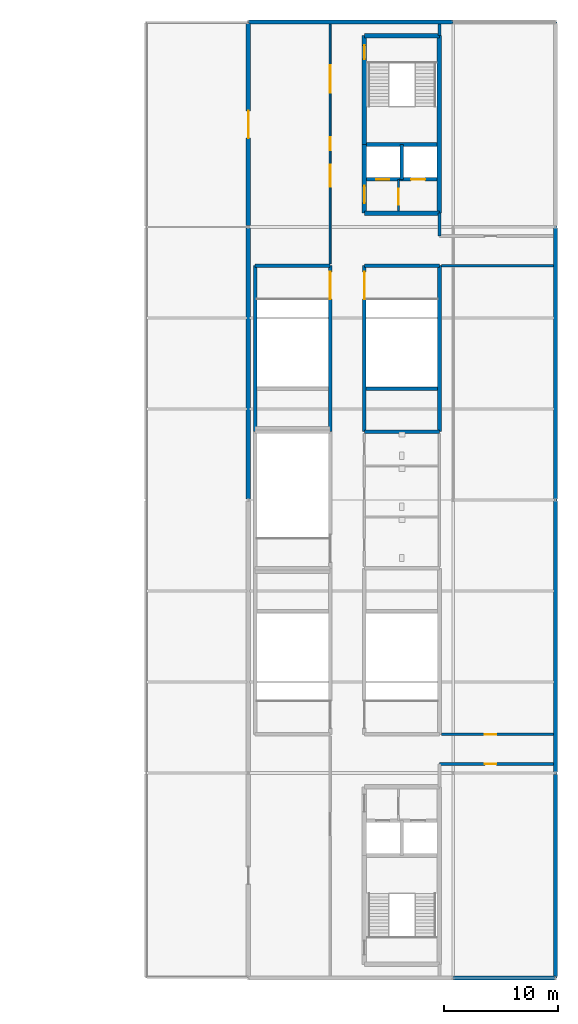
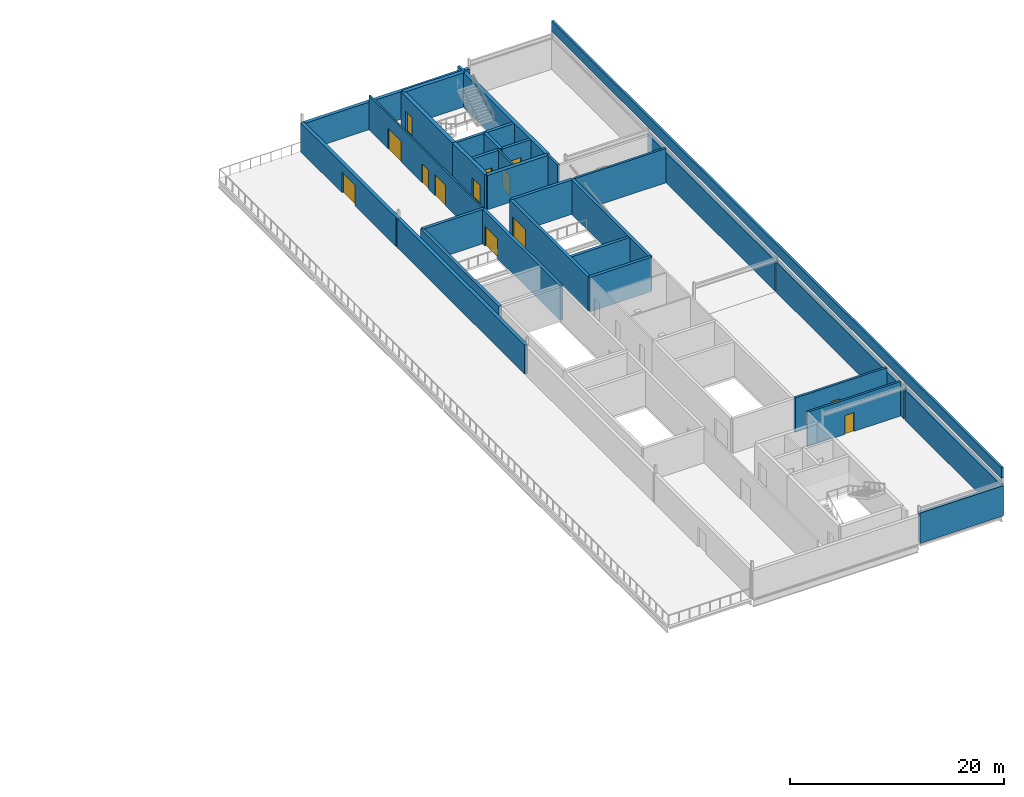
# One storey, part 18 of 23: 32 walls, 13 doors, 13 openings.
"""IFC4 building model written with IfcOpenShell, lengths in metres."""

from ifc_helpers import new_model, si_unit, direction, frame, frame_2d, origin, place, context, subcontext, project, spatial, rectangle, extrude, material, layer, layer_set, type_object, element, fill, save


model = new_model("IFC4")

# Units and contexts
model_context = context("Model", 3, precision=1e-05, world=origin(), true_north=direction((0.0, 1.0)))
body_context = subcontext(model_context, "Body", "Model", "MODEL_VIEW")
ifc_project = project(units=[si_unit("LENGTHUNIT", "METRE"), si_unit("AREAUNIT", "SQUARE_METRE"), si_unit("VOLUMEUNIT", "CUBIC_METRE"), si_unit("PLANEANGLEUNIT", "RADIAN"), si_unit("MASSUNIT", "GRAM", prefix="KILO")], contexts=[model_context])

# Site, building, storey
site_placement = place(None, origin())
site = spatial("IfcSite", under=ifc_project, at=site_placement, CompositionType="ELEMENT")
building_placement = place(site_placement, origin())
building = spatial("IfcBuilding", under=site, at=building_placement, Name="Kisiwana Market Hall", CompositionType="ELEMENT")
storey_placement = place(building_placement, frame((0.0, 0.0, 65.699951171875)))
storey = spatial("IfcBuildingStorey", under=building, at=storey_placement, Name="L15", CompositionType="ELEMENT", Elevation=65.699951171875)

# Wall, opening, door
ifc_material_1 = material(Name="Masonry blockwork", Category="masonry")
ifc_layer_1 = layer(ifc_material_1, 0.199951171875, Name="Plastered fire compartment block wall")
ifc_layer_set_1 = layer_set([ifc_layer_1], Name="WL-COMP-200")
wall_type_1 = type_object("IfcWallType", Name="WL-COMP-200", PredefinedType="PARTITIONING", material=ifc_layer_set_1)
wall_1_placement = place(storey_placement, frame((184.199951171875, 85.39990234375, 0.0), z_axis=(0.0, 0.0, 1.0), x_axis=(0.0, 1.0, 0.0)))
wall_1 = element("IfcWall", 1, at=wall_1_placement, inside=storey, type_object=wall_type_1, Name="Core E1 firefighting lobby wall W-3460", PredefinedType="PARTITIONING", context=body_context, shape_type="SweptSolid", body=[
    extrude(rectangle(XDim=2.780029296875, YDim=0.199951171875, at=frame_2d((1.39013671875, 0.0))), origin(), (0.0, 0.0, 1.0), 3.920166015625),
])
opening_1_placement = place(wall_1_placement, frame((0.550048828125, 0.0, 0.0)))
opening_1 = element("IfcOpeningElement", 2, at=opening_1_placement, cuts=wall_1, Name="Opening DR-L15-012", PredefinedType="OPENING", context=body_context, shape_type="SweptSolid", body=[
    extrude(rectangle(XDim=1.39990234375, YDim=2.25, at=frame_2d((0.699951171875, 1.125))), frame((0.0, 0.11181640625, 0.0), z_axis=(0.0, -1.0, 0.0), x_axis=(1.0, 0.0, 0.0)), (0.0, 0.0, 1.0), 0.223876953125),
])
ifc_material_2 = material(Name="Steel S275", Category="steel")
door_type_1 = type_object("IfcDoorType", Name="DR-FFLOB-FD120-1400", OperationType="DOUBLE_DOOR_SINGLE_SWING", PredefinedType="DOOR", material=ifc_material_2)
door_1_placement = place(opening_1_placement, origin())
door_1 = element("IfcDoor", 3, at=door_1_placement, inside=storey, type_object=door_type_1, Name="Firefighting Lift Lobby E1 Door (L15)", OperationType="DOUBLE_DOOR_SINGLE_SWING", OverallHeight=2.25, OverallWidth=1.39990234375, PredefinedType="DOOR", context=body_context, shape_type="SweptSolid", body=[
    extrude(rectangle(XDim=1.39990234375, YDim=2.25, at=frame_2d((0.699951171875, 1.125))), frame((0.0, 0.02490234375, 0.0), z_axis=(0.0, -1.0, 0.0), x_axis=(1.0, 0.0, 0.0)), (0.0, 0.0, 1.0), 0.050048828125),
])
fill(opening_1, door_1)

# Walls
ifc_material_3 = material(Name="Concrete C40/50", Category="concrete")
ifc_layer_2 = layer(ifc_material_3, 0.320068359375, Name="Reinforced concrete shaft wall")
ifc_layer_set_2 = layer_set([ifc_layer_2], Name="WL-CORE-320")
wall_type_2 = type_object("IfcWallType", Name="WL-CORE-320", PredefinedType="SHEAR", material=ifc_layer_set_2)
wall_2_placement = place(storey_placement, frame((181.39990234375, 91.239990234375, 0.0), z_axis=(0.0, 0.0, 1.0), x_axis=(1.0, 0.0, 0.0)))
element("IfcWall", 4, at=wall_2_placement, inside=storey, type_object=wall_type_2, Name="Core E1 shaft back shear wall W-3381", PredefinedType="SHEAR", context=body_context, shape_type="SweptSolid", body=[
    extrude(rectangle(XDim=6.2001953125, YDim=0.320068359375, at=frame_2d((3.10009765625, 0.0))), origin(), (0.0, 0.0, 1.0), 3.920166015625),
])
wall_3_placement = place(storey_placement, frame((184.5, 88.179931640625, 0.0), z_axis=(0.0, 0.0, 1.0), x_axis=(0.0, 1.0, 0.0)))
element("IfcWall", 5, at=wall_3_placement, inside=storey, type_object=wall_type_2, Name="Core E1 inter-shaft shear wall W-3382", PredefinedType="SHEAR", context=body_context, shape_type="SweptSolid", body=[
    extrude(rectangle(XDim=3.06005859375, YDim=0.320068359375, at=frame_2d((1.530029296875, 0.0))), origin(), (0.0, 0.0, 1.0), 3.920166015625),
])

# Wall, opening, door
wall_4_placement = place(storey_placement, frame((181.39990234375, 88.179931640625, 0.0), z_axis=(0.0, 0.0, 1.0), x_axis=(1.0, 0.0, 0.0)))
wall_4 = element("IfcWall", 6, at=wall_4_placement, inside=storey, type_object=wall_type_2, Name="Core E1 west lift front wall W-3383", PredefinedType="SHEAR", context=body_context, shape_type="SweptSolid", body=[
    extrude(rectangle(XDim=3.10009765625, YDim=0.320068359375, at=frame_2d((1.550048828125, 0.0))), origin(), (0.0, 0.0, 1.0), 3.920166015625),
])
opening_2_placement = place(wall_4_placement, frame((0.85009765625, 0.0, 0.0)))
opening_2 = element("IfcOpeningElement", 7, at=opening_2_placement, cuts=wall_4, Name="Opening LD-L15-007", PredefinedType="OPENING", context=body_context, shape_type="SweptSolid", body=[
    extrude(rectangle(XDim=1.14990234375, YDim=2.199951171875, at=frame_2d((0.574951171875, 1.10009765625))), frame((0.0, 0.171875, 0.0), z_axis=(0.0, -1.0, 0.0), x_axis=(1.0, 0.0, 0.0)), (0.0, 0.0, 1.0), 0.343994140625),
])
ifc_material_4 = material(Name="Steel S275", Category="steel")
door_type_2 = type_object("IfcDoorType", Name="DR-LIFT-PAX-1150", OperationType="DOUBLE_DOOR_SLIDING", PredefinedType="DOOR", material=ifc_material_4)
door_2_placement = place(opening_2_placement, origin())
door_2 = element("IfcDoor", 8, at=door_2_placement, inside=storey, type_object=door_type_2, Name="Lift Landing Door LP-04 (L15)", OperationType="DOUBLE_DOOR_SLIDING", OverallHeight=2.199951171875, OverallWidth=1.14990234375, PredefinedType="DOOR", context=body_context, shape_type="SweptSolid", body=[
    extrude(rectangle(XDim=1.14990234375, YDim=2.199951171875, at=frame_2d((0.574951171875, 1.10009765625))), frame((0.0, 0.02490234375, 0.0), z_axis=(0.0, -1.0, 0.0), x_axis=(1.0, 0.0, 0.0)), (0.0, 0.0, 1.0), 0.050048828125),
])
fill(opening_2, door_2)

wall_5_placement = place(storey_placement, frame((184.5, 88.179931640625, 0.0), z_axis=(0.0, 0.0, 1.0), x_axis=(1.0, 0.0, 0.0)))
wall_5 = element("IfcWall", 9, at=wall_5_placement, inside=storey, type_object=wall_type_2, Name="Core E1 east lift front wall W-3384", PredefinedType="SHEAR", context=body_context, shape_type="SweptSolid", body=[
    extrude(rectangle(XDim=3.10009765625, YDim=0.320068359375, at=frame_2d((1.550048828125, 0.0))), origin(), (0.0, 0.0, 1.0), 3.920166015625),
])
opening_3_placement = place(wall_5_placement, frame((0.800048828125, 0.0, 0.0)))
opening_3 = element("IfcOpeningElement", 10, at=opening_3_placement, cuts=wall_5, Name="Opening LD-L15-008", PredefinedType="OPENING", context=body_context, shape_type="SweptSolid", body=[
    extrude(rectangle(XDim=1.25, YDim=2.25, at=frame_2d((0.625, 1.125))), frame((0.0, 0.171875, 0.0), z_axis=(0.0, -1.0, 0.0), x_axis=(1.0, 0.0, 0.0)), (0.0, 0.0, 1.0), 0.343994140625),
])
ifc_material_5 = material(Name="Steel S275", Category="steel")
door_type_3 = type_object("IfcDoorType", Name="DR-LIFT-FFL-1250", OperationType="DOUBLE_DOOR_SLIDING", PredefinedType="DOOR", material=ifc_material_5)
door_3_placement = place(opening_3_placement, origin())
door_3 = element("IfcDoor", 11, at=door_3_placement, inside=storey, type_object=door_type_3, Name="Lift Landing Door FFL-04 (L15)", OperationType="DOUBLE_DOOR_SLIDING", OverallHeight=2.25, OverallWidth=1.25, PredefinedType="DOOR", context=body_context, shape_type="SweptSolid", body=[
    extrude(rectangle(XDim=1.25, YDim=2.25, at=frame_2d((0.625, 1.125))), frame((0.0, 0.02490234375, 0.0), z_axis=(0.0, -1.0, 0.0), x_axis=(1.0, 0.0, 0.0)), (0.0, 0.0, 1.0), 0.050048828125),
])
fill(opening_3, door_3)

# Walls
for number, where, z_axis, x_axis, name in (
    (12, (181.199951171875, 66.0, 0.0), (0.0, 0.0, 1.0), (1.0, 0.0, 0.0), "Core E4 south shear wall W-3400"),
    (13, (181.199951171875, 80.60009765625, 0.0), (0.0, 0.0, 1.0), (1.0, 0.0, 0.0), "Core E4 north shear wall W-3401"),
):
    element("IfcWall", number, at=place(storey_placement, frame(where, z_axis=z_axis, x_axis=x_axis)), inside=storey, type_object=wall_type_2, Name=name, PredefinedType="SHEAR", context=body_context, shape_type="SweptSolid", body=[
        extrude(rectangle(XDim=6.60009765625, YDim=0.320068359375, at=frame_2d((3.300048828125, 0.0))), origin(), (0.0, 0.0, 1.0), 3.920166015625),
    ])

# Wall, opening, door
wall_6_placement = place(storey_placement, frame((181.199951171875, 66.0, 0.0), z_axis=(0.0, 0.0, 1.0), x_axis=(0.0, 1.0, 0.0)))
wall_6 = element("IfcWall", 14, at=wall_6_placement, inside=storey, type_object=wall_type_2, Name="Core E4 corridor shear wall W-3402", PredefinedType="SHEAR", context=body_context, shape_type="SweptSolid", body=[
    extrude(rectangle(XDim=14.60009765625, YDim=0.320068359375, at=frame_2d((7.300048828125, 0.0))), origin(), (0.0, 0.0, 1.0), 3.920166015625),
])
opening_4_placement = place(wall_6_placement, frame((11.64990234375, 0.0, 0.0)))
opening_4 = element("IfcOpeningElement", 15, at=opening_4_placement, cuts=wall_6, Name="Opening DR-L15-016", PredefinedType="OPENING", context=body_context, shape_type="SweptSolid", body=[
    extrude(rectangle(XDim=2.39990234375, YDim=2.25, at=frame_2d((1.199951171875, 1.125))), frame((0.0, 0.171875, 0.0), z_axis=(0.0, -1.0, 0.0), x_axis=(1.0, 0.0, 0.0)), (0.0, 0.0, 1.0), 0.343994140625),
])
ifc_material_6 = material(Name="Steel S275", Category="steel")
door_type_4 = type_object("IfcDoorType", Name="DR-STAIR-FD120-2400", OperationType="DOUBLE_DOOR_SINGLE_SWING", PredefinedType="DOOR", material=ifc_material_6)
door_4_placement = place(opening_4_placement, frame((2.39990234375, 0.0, 0.0), z_axis=(0.0, 0.0, 1.0), x_axis=(-1.0, 0.0, 0.0)))
door_4 = element("IfcDoor", 16, at=door_4_placement, inside=storey, type_object=door_type_4, Name="Escape Stair E4 Fire Door (L15)", OperationType="DOUBLE_DOOR_SINGLE_SWING", OverallHeight=2.25, OverallWidth=2.39990234375, PredefinedType="DOOR", context=body_context, shape_type="SweptSolid", body=[
    extrude(rectangle(XDim=2.39990234375, YDim=2.25, at=frame_2d((1.199951171875, 1.125))), frame((0.0, 0.02490234375, 0.0), z_axis=(0.0, -1.0, 0.0), x_axis=(1.0, 0.0, 0.0)), (0.0, 0.0, 1.0), 0.050048828125),
])
fill(opening_4, door_4)

# Walls
wall_7_placement = place(storey_placement, frame((187.800048828125, 66.0, 0.0), z_axis=(0.0, 0.0, 1.0), x_axis=(0.0, 1.0, 0.0)))
element("IfcWall", 17, at=wall_7_placement, inside=storey, type_object=wall_type_2, Name="Core E4 outer shear wall W-3403", PredefinedType="SHEAR", context=body_context, shape_type="SweptSolid", body=[
    extrude(rectangle(XDim=14.60009765625, YDim=0.320068359375, at=frame_2d((7.300048828125, 0.0))), origin(), (0.0, 0.0, 1.0), 3.920166015625),
])
wall_8_placement = place(storey_placement, frame((181.360107421875, 69.780029296875, 0.0), z_axis=(0.0, 0.0, 1.0), x_axis=(1.0, 0.0, 0.0)))
element("IfcWall", 18, at=wall_8_placement, inside=storey, type_object=wall_type_2, Name="Core E4 riser divider shear wall W-3404", PredefinedType="SHEAR", context=body_context, shape_type="SweptSolid", body=[
    extrude(rectangle(XDim=6.27978515625, YDim=0.320068359375, at=frame_2d((3.139892578125, 0.0))), origin(), (0.0, 0.0, 1.0), 3.920166015625),
])
wall_9_placement = place(storey_placement, frame((171.60009765625, 80.60009765625, 0.0), z_axis=(0.0, 0.0, 1.0), x_axis=(1.0, 0.0, 0.0)))
element("IfcWall", 19, at=wall_9_placement, inside=storey, type_object=wall_type_2, Name="Core E8 north shear wall W-3421", PredefinedType="SHEAR", context=body_context, shape_type="SweptSolid", body=[
    extrude(rectangle(XDim=6.599853515625, YDim=0.320068359375, at=frame_2d((3.2998046875, 0.0))), origin(), (0.0, 0.0, 1.0), 3.920166015625),
])
wall_10_placement = place(storey_placement, frame((171.60009765625, 66.0, 0.0), z_axis=(0.0, 0.0, 1.0), x_axis=(0.0, 1.0, 0.0)))
element("IfcWall", 20, at=wall_10_placement, inside=storey, type_object=wall_type_2, Name="Core E8 outer shear wall W-3422", PredefinedType="SHEAR", context=body_context, shape_type="SweptSolid", body=[
    extrude(rectangle(XDim=14.60009765625, YDim=0.320068359375, at=frame_2d((7.300048828125, 0.0))), origin(), (0.0, 0.0, 1.0), 3.920166015625),
])

# Wall, opening, door
wall_11_placement = place(storey_placement, frame((178.199951171875, 66.0, 0.0), z_axis=(0.0, 0.0, 1.0), x_axis=(0.0, 1.0, 0.0)))
wall_11 = element("IfcWall", 21, at=wall_11_placement, inside=storey, type_object=wall_type_2, Name="Core E8 corridor shear wall W-3423", PredefinedType="SHEAR", context=body_context, shape_type="SweptSolid", body=[
    extrude(rectangle(XDim=14.60009765625, YDim=0.320068359375, at=frame_2d((7.300048828125, 0.0))), origin(), (0.0, 0.0, 1.0), 3.920166015625),
])
opening_5_placement = place(wall_11_placement, frame((11.64990234375, 0.0, 0.0)))
opening_5 = element("IfcOpeningElement", 22, at=opening_5_placement, cuts=wall_11, Name="Opening DR-L15-020", PredefinedType="OPENING", context=body_context, shape_type="SweptSolid", body=[
    extrude(rectangle(XDim=2.39990234375, YDim=2.25, at=frame_2d((1.199951171875, 1.125))), frame((0.0, 0.171875, 0.0), z_axis=(0.0, -1.0, 0.0), x_axis=(1.0, 0.0, 0.0)), (0.0, 0.0, 1.0), 0.343994140625),
])
door_5_placement = place(opening_5_placement, origin())
door_5 = element("IfcDoor", 23, at=door_5_placement, inside=storey, type_object=door_type_4, Name="Escape Stair E8 Fire Door (L15)", OperationType="DOUBLE_DOOR_SINGLE_SWING", OverallHeight=2.25, OverallWidth=2.39990234375, PredefinedType="DOOR", context=body_context, shape_type="SweptSolid", body=[
    extrude(rectangle(XDim=2.39990234375, YDim=2.25, at=frame_2d((1.199951171875, 1.125))), frame((0.0, 0.02490234375, 0.0), z_axis=(0.0, -1.0, 0.0), x_axis=(1.0, 0.0, 0.0)), (0.0, 0.0, 1.0), 0.050048828125),
])
fill(opening_5, door_5)

# Walls
ifc_material_7 = material(Name="Concrete C40/50", Category="concrete")
ifc_layer_3 = layer(ifc_material_7, 0.39990234375, Name="Reinforced concrete core wall")
ifc_layer_set_3 = layer_set([ifc_layer_3], Name="WL-CORE-400")
wall_type_3 = type_object("IfcWallType", Name="WL-CORE-400", PredefinedType="SHEAR", material=ifc_layer_set_3)
for number, where, z_axis, x_axis, name in (
    (24, (181.199951171875, 85.199951171875, 0.0), (0.0, 0.0, 1.0), (1.0, 0.0, 0.0), "Core E1 south shear wall W-3376"),
    (25, (181.199951171875, 100.800048828125, 0.0), (0.0, 0.0, 1.0), (1.0, 0.0, 0.0), "Core E1 north shear wall W-3377"),
):
    element("IfcWall", number, at=place(storey_placement, frame(where, z_axis=z_axis, x_axis=x_axis)), inside=storey, type_object=wall_type_3, Name=name, PredefinedType="SHEAR", context=body_context, shape_type="SweptSolid", body=[
        extrude(rectangle(XDim=6.60009765625, YDim=0.39990234375, at=frame_2d((3.300048828125, 0.0))), origin(), (0.0, 0.0, 1.0), 3.920166015625),
    ])
wall_12_placement = place(storey_placement, frame((187.800048828125, 85.199951171875, 0.0), z_axis=(0.0, 0.0, 1.0), x_axis=(0.0, 1.0, 0.0)))
element("IfcWall", 26, at=wall_12_placement, inside=storey, type_object=wall_type_3, Name="Core E1 outer shear wall W-3378", PredefinedType="SHEAR", context=body_context, shape_type="SweptSolid", body=[
    extrude(rectangle(XDim=15.60009765625, YDim=0.39990234375, at=frame_2d((7.800048828125, 0.0))), origin(), (0.0, 0.0, 1.0), 3.920166015625),
])

# Wall, opening, door
wall_13_placement = place(storey_placement, frame((181.199951171875, 85.199951171875, 0.0), z_axis=(0.0, 0.0, 1.0), x_axis=(0.0, 1.0, 0.0)))
wall_13 = element("IfcWall", 27, at=wall_13_placement, inside=storey, type_object=wall_type_3, Name="Core E1 lobby corridor shear wall W-3379", PredefinedType="SHEAR", context=body_context, shape_type="SweptSolid", body=[
    extrude(rectangle(XDim=6.0400390625, YDim=0.39990234375, at=frame_2d((3.02001953125, 0.0))), origin(), (0.0, 0.0, 1.0), 3.920166015625),
])
opening_6_placement = place(wall_13_placement, frame((0.89990234375, 0.0, 0.0)))
opening_6 = element("IfcOpeningElement", 28, at=opening_6_placement, cuts=wall_13, Name="Opening DR-L15-010", PredefinedType="OPENING", context=body_context, shape_type="SweptSolid", body=[
    extrude(rectangle(XDim=1.5, YDim=2.199951171875, at=frame_2d((0.75, 1.10009765625))), frame((0.0, 0.2119140625, 0.0), z_axis=(0.0, -1.0, 0.0), x_axis=(1.0, 0.0, 0.0)), (0.0, 0.0, 1.0), 0.423828125),
])
ifc_material_8 = material(Name="Steel S275", Category="steel")
door_type_5 = type_object("IfcDoorType", Name="DR-CORR-FD60-1500", OperationType="DOUBLE_DOOR_SINGLE_SWING", PredefinedType="DOOR", material=ifc_material_8)
door_6_placement = place(opening_6_placement, origin())
door_6 = element("IfcDoor", 29, at=door_6_placement, inside=storey, type_object=door_type_5, Name="Passenger Lift Lobby E1 Smoke Door (L15)", OperationType="DOUBLE_DOOR_SINGLE_SWING", OverallHeight=2.199951171875, OverallWidth=1.5, PredefinedType="DOOR", context=body_context, shape_type="SweptSolid", body=[
    extrude(rectangle(XDim=1.5, YDim=2.199951171875, at=frame_2d((0.75, 1.10009765625))), frame((0.0, 0.02490234375, 0.0), z_axis=(0.0, -1.0, 0.0), x_axis=(1.0, 0.0, 0.0)), (0.0, 0.0, 1.0), 0.050048828125),
])
fill(opening_6, door_6)

wall_14_placement = place(storey_placement, frame((181.199951171875, 91.239990234375, 0.0), z_axis=(0.0, 0.0, 1.0), x_axis=(0.0, 1.0, 0.0)))
wall_14 = element("IfcWall", 30, at=wall_14_placement, inside=storey, type_object=wall_type_3, Name="Core E1 stair corridor shear wall W-3380", PredefinedType="SHEAR", context=body_context, shape_type="SweptSolid", body=[
    extrude(rectangle(XDim=9.56005859375, YDim=0.39990234375, at=frame_2d((4.780029296875, 0.0))), origin(), (0.0, 0.0, 1.0), 3.920166015625),
])
opening_7_placement = place(wall_14_placement, frame((7.510009765625, 0.0, 0.0)))
opening_7 = element("IfcOpeningElement", 31, at=opening_7_placement, cuts=wall_14, Name="Opening DR-L15-011", PredefinedType="OPENING", context=body_context, shape_type="SweptSolid", body=[
    extrude(rectangle(XDim=1.199951171875, YDim=2.199951171875, at=frame_2d((0.60009765625, 1.10009765625))), frame((0.0, 0.2119140625, 0.0), z_axis=(0.0, -1.0, 0.0), x_axis=(1.0, 0.0, 0.0)), (0.0, 0.0, 1.0), 0.423828125),
])
ifc_material_9 = material(Name="Steel S275", Category="steel")
door_type_6 = type_object("IfcDoorType", Name="DR-STAIR-FD120-1200", OperationType="NOTDEFINED", PredefinedType="DOOR", material=ifc_material_9)
door_7_placement = place(opening_7_placement, frame((1.199951171875, 0.0, 0.0), z_axis=(0.0, 0.0, 1.0), x_axis=(-1.0, 0.0, 0.0)))
door_7 = element("IfcDoor", 32, at=door_7_placement, inside=storey, type_object=door_type_6, Name="Escape Stair E1 Fire Door (L15)", OperationType="SINGLE_SWING_LEFT", OverallHeight=2.199951171875, OverallWidth=1.199951171875, PredefinedType="DOOR", context=body_context, shape_type="SweptSolid", body=[
    extrude(rectangle(XDim=1.199951171875, YDim=2.199951171875, at=frame_2d((0.60009765625, 1.10009765625))), frame((0.0, 0.02490234375, 0.0), z_axis=(0.0, -1.0, 0.0), x_axis=(1.0, 0.0, 0.0)), (0.0, 0.0, 1.0), 0.050048828125),
])
fill(opening_7, door_7)

# Wall, openings, doors
ifc_material_10 = material(Name="Masonry blockwork", Category="masonry")
ifc_layer_4 = layer(ifc_material_10, 0.169921875, Name="Protected corridor partition")
ifc_layer_set_4 = layer_set([ifc_layer_4], Name="WL-CORR-170")
wall_type_4 = type_object("IfcWallType", Name="WL-CORR-170", PredefinedType="PARTITIONING", material=ifc_layer_set_4)
wall_15_placement = place(storey_placement, frame((178.199951171875, 80.760009765625, 0.0), z_axis=(0.0, 0.0, 1.0), x_axis=(0.0, 1.0, 0.0)))
wall_15 = element("IfcWall", 33, at=wall_15_placement, inside=storey, type_object=wall_type_4, Name="Interior partition W-3488", PredefinedType="PARTITIONING", context=body_context, shape_type="SweptSolid", body=[
    extrude(rectangle(XDim=21.070068359375, YDim=0.169921875, at=frame_2d((10.53515625, 0.0))), origin(), (0.0, 0.0, 1.0), 3.920166015625),
])
opening_8_placement = place(wall_15_placement, frame((6.7900390625, 0.0, 0.0)))
opening_8 = element("IfcOpeningElement", 34, at=opening_8_placement, cuts=wall_15, Name="Opening DR-L15-040", PredefinedType="OPENING", context=body_context, shape_type="SweptSolid", body=[
    extrude(rectangle(XDim=1.89990234375, YDim=2.35009765625, at=frame_2d((0.949951171875, 1.175048828125))), frame((0.0, 0.096923828125, 0.0), z_axis=(0.0, -1.0, 0.0), x_axis=(1.0, 0.0, 0.0)), (0.0, 0.0, 1.0), 0.19384765625),
])
opening_9_placement = place(wall_15_placement, frame((15.0400390625, 0.0, 0.0)))
opening_9 = element("IfcOpeningElement", 35, at=opening_9_placement, cuts=wall_15, Name="Opening DR-L15-041", PredefinedType="OPENING", context=body_context, shape_type="SweptSolid", body=[
    extrude(rectangle(XDim=2.39990234375, YDim=2.35009765625, at=frame_2d((1.199951171875, 1.175048828125))), frame((0.0, 0.096923828125, 0.0), z_axis=(0.0, -1.0, 0.0), x_axis=(1.0, 0.0, 0.0)), (0.0, 0.0, 1.0), 0.19384765625),
])
opening_10_placement = place(wall_15_placement, frame((9.9599609375, 0.0, 0.0)))
opening_10 = element("IfcOpeningElement", 36, at=opening_10_placement, cuts=wall_15, Name="Opening DR-L15-042", PredefinedType="OPENING", context=body_context, shape_type="SweptSolid", body=[
    extrude(rectangle(XDim=1.14990234375, YDim=2.14990234375, at=frame_2d((0.574951171875, 1.074951171875))), frame((0.0, 0.096923828125, 0.0), z_axis=(0.0, -1.0, 0.0), x_axis=(1.0, 0.0, 0.0)), (0.0, 0.0, 1.0), 0.19384765625),
])
ifc_material_11 = material(Name="Steel S275", Category="steel")
door_type_7 = type_object("IfcDoorType", Name="DR-HALL-1900", OperationType="DOUBLE_DOOR_SINGLE_SWING", PredefinedType="DOOR", material=ifc_material_11)
door_8_placement = place(opening_8_placement, origin())
door_8 = element("IfcDoor", 37, at=door_8_placement, inside=storey, type_object=door_type_7, Name="L15 E Executive Board Observatory Door", OperationType="DOUBLE_DOOR_SINGLE_SWING", OverallHeight=2.35009765625, OverallWidth=1.89990234375, PredefinedType="DOOR", context=body_context, shape_type="SweptSolid", body=[
    extrude(rectangle(XDim=1.89990234375, YDim=2.35009765625, at=frame_2d((0.949951171875, 1.175048828125))), frame((0.0, 0.02490234375, 0.0), z_axis=(0.0, -1.0, 0.0), x_axis=(1.0, 0.0, 0.0)), (0.0, 0.0, 1.0), 0.050048828125),
])
fill(opening_8, door_8)
ifc_material_12 = material(Name="Steel S275", Category="steel")
door_type_8 = type_object("IfcDoorType", Name="DR-HALL-2400", OperationType="DOUBLE_DOOR_SINGLE_SWING", PredefinedType="DOOR", material=ifc_material_12)
door_9_placement = place(opening_9_placement, origin())
door_9 = element("IfcDoor", 38, at=door_9_placement, inside=storey, type_object=door_type_8, Name="L15 E Executive Board Observatory Second Door", OperationType="DOUBLE_DOOR_SINGLE_SWING", OverallHeight=2.35009765625, OverallWidth=2.39990234375, PredefinedType="DOOR", context=body_context, shape_type="SweptSolid", body=[
    extrude(rectangle(XDim=2.39990234375, YDim=2.35009765625, at=frame_2d((1.199951171875, 1.175048828125))), frame((0.0, 0.02490234375, 0.0), z_axis=(0.0, -1.0, 0.0), x_axis=(1.0, 0.0, 0.0)), (0.0, 0.0, 1.0), 0.050048828125),
])
fill(opening_9, door_9)
ifc_material_13 = material(Name="Aluminium alloy 6063-T6", Category="aluminium")
door_type_9 = type_object("IfcDoorType", Name="DR-MEET-1150", OperationType="NOTDEFINED", PredefinedType="DOOR", material=ifc_material_13)
door_10_placement = place(opening_10_placement, origin())
door_10 = element("IfcDoor", 39, at=door_10_placement, inside=storey, type_object=door_type_9, Name="L15 E Constructivist Architecture Studio Door", OperationType="SINGLE_SWING_RIGHT", OverallHeight=2.14990234375, OverallWidth=1.14990234375, PredefinedType="DOOR", context=body_context, shape_type="SweptSolid", body=[
    extrude(rectangle(XDim=1.14990234375, YDim=2.14990234375, at=frame_2d((0.574951171875, 1.074951171875))), frame((0.0, 0.02490234375, 0.0), z_axis=(0.0, -1.0, 0.0), x_axis=(1.0, 0.0, 0.0)), (0.0, 0.0, 1.0), 0.050048828125),
])
fill(opening_10, door_10)

# Walls
ifc_material_14 = material(Name="Concrete C40/50 precast", Category="concrete")
ifc_layer_5 = layer(ifc_material_14, 0.364990234375)
ifc_layer_set_5 = layer_set([ifc_layer_5], Name="WL-EXT-365")
wall_type_5 = type_object("IfcWallType", Name="WL-EXT-365", PredefinedType="STANDARD", material=ifc_layer_set_5)
wall_16_placement = place(storey_placement, frame((189.010009765625, 18.0, 0.0), z_axis=(0.0, 0.0, 1.0), x_axis=(1.0, 0.0, 0.0)))
element("IfcWall", 40, at=wall_16_placement, inside=storey, type_object=wall_type_5, Name="Exterior wall W-3436", PredefinedType="STANDARD", context=body_context, shape_type="SweptSolid", body=[
    extrude(rectangle(XDim=8.97998046875, YDim=0.364990234375, at=frame_2d((4.489990234375, 0.0))), origin(), (0.0, 0.0, 1.0), 3.447998046875),
])
wall_17_placement = place(storey_placement, frame((171.010009765625, 102.0, 0.0), z_axis=(0.0, 0.0, 1.0), x_axis=(1.0, 0.0, 0.0)))
element("IfcWall", 41, at=wall_17_placement, inside=storey, type_object=wall_type_5, Name="Exterior wall W-3439", PredefinedType="STANDARD", context=body_context, shape_type="SweptSolid", body=[
    extrude(rectangle(XDim=17.97998046875, YDim=0.364990234375, at=frame_2d((8.989990234375, 0.0))), origin(), (0.0, 0.0, 1.0), 3.145751953125),
])
wall_18_placement = place(storey_placement, frame((171.0, 60.107666015625, 0.0), z_axis=(0.0, 0.0, 1.0), x_axis=(0.0, 1.0, 0.0)))
element("IfcWall", 42, at=wall_18_placement, inside=storey, type_object=wall_type_5, Name="Exterior wall W-3451", PredefinedType="STANDARD", context=body_context, shape_type="SweptSolid", body=[
    extrude(rectangle(XDim=23.78466796875, YDim=0.364990234375, at=frame_2d((11.892333984375, 0.0))), origin(), (0.0, 0.0, 1.0), 3.307861328125),
])

# Wall, opening, door
wall_19_placement = place(storey_placement, frame((171.0, 84.107666015625, 0.0), z_axis=(0.0, 0.0, 1.0), x_axis=(0.0, 1.0, 0.0)))
wall_19 = element("IfcWall", 43, at=wall_19_placement, inside=storey, type_object=wall_type_5, Name="Exterior wall W-3452", PredefinedType="STANDARD", context=body_context, shape_type="SweptSolid", body=[
    extrude(rectangle(XDim=17.78466796875, YDim=0.364990234375, at=frame_2d((8.892333984375, 0.0))), origin(), (0.0, 0.0, 1.0), 3.307861328125),
])
opening_11_placement = place(wall_19_placement, frame((7.6923828125, 0.0, 0.0)))
opening_11 = element("IfcOpeningElement", 44, at=opening_11_placement, cuts=wall_19, Name="Opening DR-L15-1004", PredefinedType="OPENING", context=body_context, shape_type="SweptSolid", body=[
    extrude(rectangle(XDim=2.39990234375, YDim=2.35009765625, at=frame_2d((1.199951171875, 1.175048828125))), frame((0.0, 0.1943359375, 0.0), z_axis=(0.0, -1.0, 0.0), x_axis=(1.0, 0.0, 0.0)), (0.0, 0.0, 1.0), 0.388916015625),
])
ifc_material_15 = material(Name="Aluminium alloy 6063-T6", Category="aluminium")
door_type_10 = type_object("IfcDoorType", Name="DR-EXT-TERR-2400", OperationType="DOUBLE_DOOR_SINGLE_SWING", PredefinedType="DOOR", material=ifc_material_15)
door_11_placement = place(opening_11_placement, frame((2.39990234375, 0.0, 0.0), z_axis=(0.0, 0.0, 1.0), x_axis=(-1.0, 0.0, 0.0)))
door_11 = element("IfcDoor", 45, at=door_11_placement, inside=storey, type_object=door_type_10, Name="Exterior terrace access door DR-L15-1004", OperationType="DOUBLE_DOOR_SINGLE_SWING", OverallHeight=2.35009765625, OverallWidth=2.39990234375, PredefinedType="DOOR", context=body_context, shape_type="SweptSolid", body=[
    extrude(rectangle(XDim=2.39990234375, YDim=2.35009765625, at=frame_2d((1.199951171875, 1.175048828125))), frame((0.0, 0.02490234375, 0.0), z_axis=(0.0, -1.0, 0.0), x_axis=(1.0, 0.0, 0.0)), (0.0, 0.0, 1.0), 0.050048828125),
])
fill(opening_11, door_11)

# Walls
wall_20_placement = place(storey_placement, frame((198.0, 18.107666015625, 0.0), z_axis=(0.0, 0.0, 1.0), x_axis=(0.0, 1.0, 0.0)))
element("IfcWall", 46, at=wall_20_placement, inside=storey, type_object=wall_type_5, Name="Exterior wall W-3453", PredefinedType="STANDARD", context=body_context, shape_type="SweptSolid", body=[
    extrude(rectangle(XDim=17.78466796875, YDim=0.364990234375, at=frame_2d((8.892333984375, 0.0))), origin(), (0.0, 0.0, 1.0), 3.447998046875),
])
for number, where, z_axis, x_axis, name in (
    (47, (198.0, 36.107666015625, 0.0), (0.0, 0.0, 1.0), (0.0, 1.0, 0.0), "Exterior wall W-3454"),
    (48, (198.0, 60.107666015625, 0.0), (0.0, 0.0, 1.0), (0.0, 1.0, 0.0), "Exterior wall W-3455"),
):
    element("IfcWall", number, at=place(storey_placement, frame(where, z_axis=z_axis, x_axis=x_axis)), inside=storey, type_object=wall_type_5, Name=name, PredefinedType="STANDARD", context=body_context, shape_type="SweptSolid", body=[
        extrude(rectangle(XDim=23.78466796875, YDim=0.364990234375, at=frame_2d((11.892333984375, 0.0))), origin(), (0.0, 0.0, 1.0), 3.447998046875),
    ])
ifc_material_16 = material(Name="Concrete C40/50", Category="concrete")
ifc_layer_6 = layer(ifc_material_16, 0.239990234375, Name="Reinforced concrete roof parapet")
ifc_layer_set_6 = layer_set([ifc_layer_6], Name="WL-PARA-240")
wall_type_6 = type_object("IfcWallType", Name="WL-PARA-240", PredefinedType="PARAPET", material=ifc_layer_set_6)
wall_21_placement = place(storey_placement, frame((198.0, 18.0, 4.199951171875), z_axis=(0.0, 0.0, 1.0), x_axis=(0.0, 1.0, 0.0)))
element("IfcWall", 49, at=wall_21_placement, inside=storey, type_object=wall_type_6, Name="Roof parapet wall W-3490", PredefinedType="PARAPET", context=body_context, shape_type="SweptSolid", body=[
    extrude(rectangle(XDim=84.0, YDim=0.239990234375, at=frame_2d((42.0, 0.0))), origin(), (0.0, 0.0, 1.0), 1.2001953125),
])
ifc_material_17 = material(Name="Concrete C32/40", Category="concrete")
ifc_layer_7 = layer(ifc_material_17, 0.235107421875)
ifc_layer_set_7 = layer_set([ifc_layer_7], Name="WL-PART-235")
wall_type_7 = type_object("IfcWallType", Name="WL-PART-235", PredefinedType="PARTITIONING", material=ifc_layer_set_7)
wall_22_placement = place(storey_placement, frame((187.800048828125, 83.199951171875, 0.0), z_axis=(0.0, 0.0, 1.0), x_axis=(0.0, 1.0, 0.0)))
element("IfcWall", 50, at=wall_22_placement, inside=storey, type_object=wall_type_7, Name="Interior partition W-3480", PredefinedType="PARTITIONING", context=body_context, shape_type="SweptSolid", body=[
    extrude(rectangle(XDim=2.0, YDim=0.235107421875, at=frame_2d((1.0, 0.0))), origin(), (0.0, 0.0, 1.0), 3.920166015625),
])
wall_23_placement = place(storey_placement, frame((187.800048828125, 100.800048828125, 0.0), z_axis=(0.0, 0.0, 1.0), x_axis=(0.0, 1.0, 0.0)))
element("IfcWall", 51, at=wall_23_placement, inside=storey, type_object=wall_type_7, Name="Interior partition W-3482", PredefinedType="PARTITIONING", context=body_context, shape_type="SweptSolid", body=[
    extrude(rectangle(XDim=1.030029296875, YDim=0.235107421875, at=frame_2d((0.51513671875, 0.0))), origin(), (0.0, 0.0, 1.0), 3.920166015625),
])

# Wall, opening, door
wall_24_placement = place(storey_placement, frame((187.800048828125, 36.800048828125, 0.0), z_axis=(0.0, 0.0, 1.0), x_axis=(1.0, 0.0, 0.0)))
wall_24 = element("IfcWall", 52, at=wall_24_placement, inside=storey, type_object=wall_type_7, Name="Interior partition W-3483", PredefinedType="PARTITIONING", context=body_context, shape_type="SweptSolid", body=[
    extrude(rectangle(XDim=10.030029296875, YDim=0.235107421875, at=frame_2d((5.01513671875, 0.0))), origin(), (0.0, 0.0, 1.0), 3.920166015625),
])
opening_12_placement = place(wall_24_placement, frame((4.0, 0.0, 0.0)))
opening_12 = element("IfcOpeningElement", 53, at=opening_12_placement, cuts=wall_24, Name="Opening DR-L15-036", PredefinedType="OPENING", context=body_context, shape_type="SweptSolid", body=[
    extrude(rectangle(XDim=1.0, YDim=2.14990234375, at=frame_2d((0.5, 1.074951171875))), frame((0.0, 0.12939453125, 0.0), z_axis=(0.0, -1.0, 0.0), x_axis=(1.0, 0.0, 0.0)), (0.0, 0.0, 1.0), 0.259033203125),
])
ifc_material_18 = material(Name="Aluminium alloy 6063-T6", Category="aluminium")
door_type_11 = type_object("IfcDoorType", Name="DR-OFF-1000", OperationType="NOTDEFINED", PredefinedType="DOOR", material=ifc_material_18)
door_12_placement = place(opening_12_placement, frame((1.0, 0.0, 0.0), z_axis=(0.0, 0.0, 1.0), x_axis=(-1.0, 0.0, 0.0)))
door_12 = element("IfcDoor", 54, at=door_12_placement, inside=storey, type_object=door_type_11, Name="L15 E Design Studio South Door", OperationType="SINGLE_SWING_RIGHT", OverallHeight=2.14990234375, OverallWidth=1.0, PredefinedType="DOOR", context=body_context, shape_type="SweptSolid", body=[
    extrude(rectangle(XDim=1.0, YDim=2.14990234375, at=frame_2d((0.5, 1.074951171875))), frame((0.0, 0.02490234375, 0.0), z_axis=(0.0, -1.0, 0.0), x_axis=(1.0, 0.0, 0.0)), (0.0, 0.0, 1.0), 0.050048828125),
])
fill(opening_12, door_12)

wall_25_placement = place(storey_placement, frame((187.9599609375, 39.39990234375, 0.0), z_axis=(0.0, 0.0, 1.0), x_axis=(1.0, 0.0, 0.0)))
wall_25 = element("IfcWall", 55, at=wall_25_placement, inside=storey, type_object=wall_type_7, Name="Interior partition W-3484", PredefinedType="PARTITIONING", context=body_context, shape_type="SweptSolid", body=[
    extrude(rectangle(XDim=9.8701171875, YDim=0.235107421875, at=frame_2d((4.93505859375, 0.0))), origin(), (0.0, 0.0, 1.0), 3.920166015625),
])
opening_13_placement = place(wall_25_placement, frame((3.840087890625, 0.0, 0.0)))
opening_13 = element("IfcOpeningElement", 56, at=opening_13_placement, cuts=wall_25, Name="Opening DR-L15-037", PredefinedType="OPENING", context=body_context, shape_type="SweptSolid", body=[
    extrude(rectangle(XDim=1.0, YDim=2.14990234375, at=frame_2d((0.5, 1.074951171875))), frame((0.0, 0.12939453125, 0.0), z_axis=(0.0, -1.0, 0.0), x_axis=(1.0, 0.0, 0.0)), (0.0, 0.0, 1.0), 0.259033203125),
])
door_13_placement = place(opening_13_placement, origin())
door_13 = element("IfcDoor", 57, at=door_13_placement, inside=storey, type_object=door_type_11, Name="L15 E Design Studio Central Door", OperationType="SINGLE_SWING_LEFT", OverallHeight=2.14990234375, OverallWidth=1.0, PredefinedType="DOOR", context=body_context, shape_type="SweptSolid", body=[
    extrude(rectangle(XDim=1.0, YDim=2.14990234375, at=frame_2d((0.5, 1.074951171875))), frame((0.0, 0.02490234375, 0.0), z_axis=(0.0, -1.0, 0.0), x_axis=(1.0, 0.0, 0.0)), (0.0, 0.0, 1.0), 0.050048828125),
])
fill(opening_13, door_13)

# Wall
wall_26_placement = place(storey_placement, frame((187.9599609375, 80.60009765625, 0.0), z_axis=(0.0, 0.0, 1.0), x_axis=(1.0, 0.0, 0.0)))
element("IfcWall", 58, at=wall_26_placement, inside=storey, type_object=wall_type_7, Name="Interior partition W-3485", PredefinedType="PARTITIONING", context=body_context, shape_type="SweptSolid", body=[
    extrude(rectangle(XDim=9.8701171875, YDim=0.235107421875, at=frame_2d((4.93505859375, 0.0))), origin(), (0.0, 0.0, 1.0), 3.920166015625),
])

save(model, "model.ifc")
